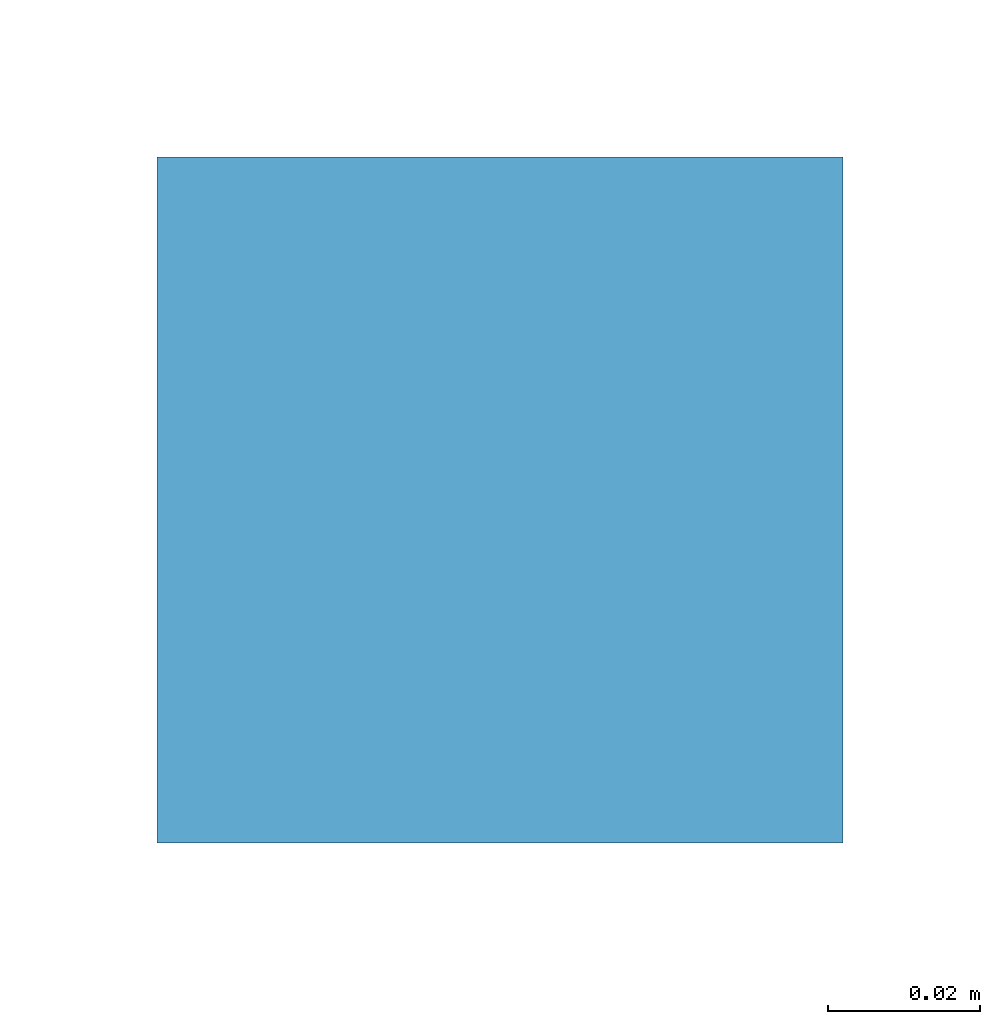
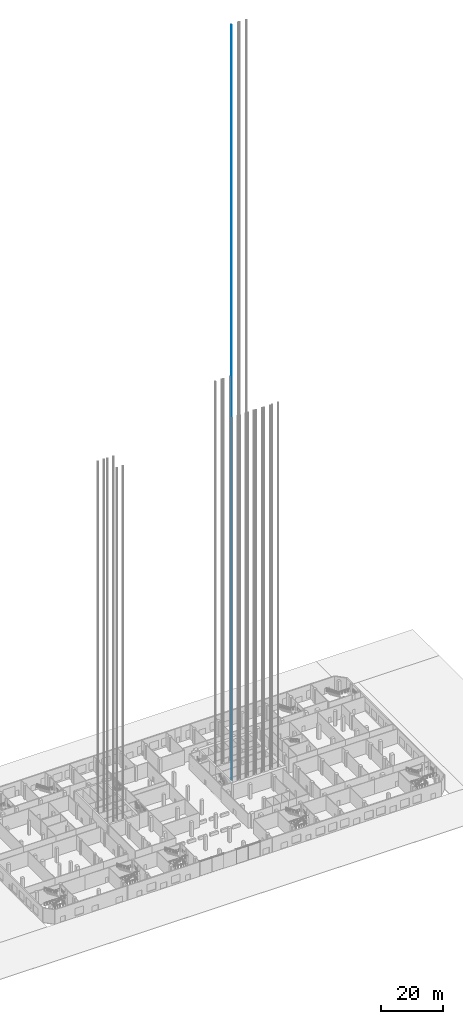
# One storey, part 28 of 55: 1 member.
"""IFC4 building model written with IfcOpenShell, lengths in metres."""

import ifcopenshell
import ifcopenshell.guid

model = None  # the IFC model being written
_history = None  # IfcOwnerHistory: only IFC2X3 demands one
_inside = {}  # id of a spatial element -> (the spatial element, [elements in it])
_under = {}  # id of a project, library or spatial element -> (it, [spatial elements below it])
_declared = {}  # id of a project -> (the project, [libraries it declares])
_typed = {}  # id of a type object -> (the type object, [elements of that type])
_made_of = {}  # id of a material, layer set ... -> (it, [elements and type objects made of it])


def new_model(schema):
    """Start an empty IFC model of exactly this schema.

    Asked for "IFC4X3", IfcOpenShell would pick the latest addendum, in which some entities
    have other attributes; the version numbers below select the first issue.
    IFC2X3 requires an IfcOwnerHistory on every rooted entity: one is made here for all.
    """
    global model, _history
    if schema == "IFC4X3":
        model = ifcopenshell.file(schema_version=(4, 3, 0, 0))
    else:
        model = ifcopenshell.file(schema=schema)
    _inside.clear()
    _under.clear()
    _declared.clear()
    _typed.clear()
    _made_of.clear()
    _history = None
    if model.schema == "IFC2X3":
        org = make("IfcOrganization", Name="unknown")
        user = make(
            "IfcPersonAndOrganization",
            ThePerson=make("IfcPerson", FamilyName="unknown"),
            TheOrganization=org,
        )
        app = make(
            "IfcApplication",
            ApplicationDeveloper=org,
            Version="unknown",
            ApplicationFullName="unknown",
            ApplicationIdentifier="unknown",
        )
        _history = make(
            "IfcOwnerHistory",
            OwningUser=user,
            OwningApplication=app,
            ChangeAction="ADDED",
            CreationDate=0,
        )
    return model


def make(cls, **values):
    """One entity of the class cls with the attributes given. An attribute that is None is left unset."""
    return model.create_entity(
        cls, **{name: value for name, value in values.items() if value is not None}
    )


def rooted(cls, **values):
    """An entity with a GlobalId (a new one), such as an element, a storey or a relation."""
    return make(cls, GlobalId=ifcopenshell.guid.new(), OwnerHistory=_history, **values)


def si_unit(unit_type, name, prefix=None):
    """IfcSIUnit, for example si_unit("LENGTHUNIT", "METRE", prefix="MILLI")."""
    return make("IfcSIUnit", UnitType=unit_type, Prefix=prefix, Name=name)


def assignment(units):
    """IfcUnitAssignment: the units of a project."""
    return None if units is None else make("IfcUnitAssignment", Units=units)


def point(xyz):
    """IfcCartesianPoint."""
    return None if xyz is None else make("IfcCartesianPoint", Coordinates=xyz)


def direction(xyz):
    """IfcDirection."""
    return None if xyz is None else make("IfcDirection", DirectionRatios=xyz)


def frame(location, z_axis=None, x_axis=None):
    """IfcAxis2Placement3D, a coordinate frame: its origin and axes. An axis left out is left unset."""
    return make(
        "IfcAxis2Placement3D",
        Location=point(location),
        Axis=direction(z_axis),
        RefDirection=direction(x_axis),
    )


def frame_2d(location, x_axis=None):
    """IfcAxis2Placement2D, a coordinate frame in the plane: its origin and x axis."""
    return make(
        "IfcAxis2Placement2D", Location=point(location), RefDirection=direction(x_axis)
    )


def origin():
    """The frame at (0, 0, 0) with its axes left unset."""
    return frame((0.0, 0.0, 0.0))


def origin_2d():
    """The frame at (0, 0) in the plane with its x axis left unset."""
    return frame_2d((0.0, 0.0))


def place(relative_to, where):
    """IfcLocalPlacement: puts the frame where relative to a parent placement (None: the world)."""
    return make(
        "IfcLocalPlacement", PlacementRelTo=relative_to, RelativePlacement=where
    )


def context(
    kind, dimensions, precision=None, world=None, true_north=None, identifier=None
):
    """IfcGeometricRepresentationContext, for example the 3D "Model" context."""
    return make(
        "IfcGeometricRepresentationContext",
        ContextIdentifier=identifier,
        ContextType=kind,
        CoordinateSpaceDimension=dimensions,
        Precision=precision,
        WorldCoordinateSystem=world,
        TrueNorth=true_north,
    )


def subcontext(parent, identifier, kind, view, scale=None):
    """IfcGeometricRepresentationSubContext, for example "Body" below "Model"."""
    return make(
        "IfcGeometricRepresentationSubContext",
        ContextIdentifier=identifier,
        ContextType=kind,
        ParentContext=parent,
        TargetScale=scale,
        TargetView=view,
    )


def project(units=None, contexts=None):
    """IfcProject with its units and contexts."""
    return rooted(
        "IfcProject",
        Name="project",
        RepresentationContexts=contexts,
        UnitsInContext=assignment(units),
    )


def spatial(cls, under=None, at=None, **own):
    """A site, building, storey or space (cls), placed at a placement, below another one or the project."""
    s = rooted(cls, ObjectPlacement=at, **own)
    if under is not None:
        _under.setdefault(under.id(), (under, []))[1].append(s)
    return s


def profile(cls, at=None, kind="AREA", **sizes):
    """A parametric profile (cls). Its sizes go by their IFC names, for example OverallWidth=200.0."""
    return make(cls, ProfileType=kind, Position=at, **sizes)


def rectangle(**sizes):
    """IfcRectangleProfileDef."""
    return profile("IfcRectangleProfileDef", **sizes)


def extrude(swept, where, along, depth):
    """IfcExtrudedAreaSolid: the profile swept, set in the frame where, extruded along a direction by depth."""
    return make(
        "IfcExtrudedAreaSolid",
        SweptArea=swept,
        Position=where,
        ExtrudedDirection=direction(along),
        Depth=depth,
    )


def shape(context_of_items, identifier, shape_type, items):
    """IfcShapeRepresentation: the items that make up one representation, for example the "Body"."""
    return make(
        "IfcShapeRepresentation",
        ContextOfItems=context_of_items,
        RepresentationIdentifier=identifier,
        RepresentationType=shape_type,
        Items=items,
    )


def material(Name=None, Category=None):
    """IfcMaterial."""
    return make("IfcMaterial", Name=Name, Category=Category)


def material_profile(
    of_material, cross_section, Name=None, Category=None, Priority=None
):
    """IfcMaterialProfile: a cross section and its material."""
    return make(
        "IfcMaterialProfile",
        Name=Name,
        Material=of_material,
        Profile=cross_section,
        Priority=Priority,
        Category=Category,
    )


def profile_set(profiles, Name=None, composite=None):
    """IfcMaterialProfileSet."""
    return make(
        "IfcMaterialProfileSet",
        Name=Name,
        MaterialProfiles=profiles,
        CompositeProfile=composite,
    )


def made_of(thing, what):
    """Note that an element or type object is made of a material, layer set ...; save() writes the relation."""
    if what is not None:
        _made_of.setdefault(what.id(), (what, []))[1].append(thing)
    return thing


def type_object(cls, material=None, **own):
    """A type object (cls), such as IfcWallType, which elements share."""
    return made_of(rooted(cls, **own), material)


def element(
    cls,
    number,
    at=None,
    inside=None,
    cuts=None,
    type_object=None,
    material=None,
    context=None,
    identifier="Body",
    shape_type=None,
    held_by="IfcProductDefinitionShape",
    body=None,
    shapes=None,
    **own,
):
    """One element of the class cls, such as IfcWall. Its Tag is "e" and its number.

    at: its placement. inside: the storey or other place that contains it. cuts: it is an
    opening in that element (IfcRelVoidsElement). A single representation is given by context,
    identifier, shape_type and body (its items); several are given by shapes. held_by: the class
    of the entity that holds the representations. save() writes the other relations.
    """
    e = rooted(cls, Tag="e%d" % number, ObjectPlacement=at, **own)
    if body is not None:
        shapes = [shape(context, identifier, shape_type, body)]
    if shapes is not None:
        e.Representation = make(held_by, Representations=shapes)
    if inside is not None:
        _inside.setdefault(inside.id(), (inside, []))[1].append(e)
    if cuts is not None:
        rooted(
            "IfcRelVoidsElement", RelatingBuildingElement=cuts, RelatedOpeningElement=e
        )
    if type_object is not None:
        _typed.setdefault(type_object.id(), (type_object, []))[1].append(e)
    return made_of(e, material)


def aggregate(whole, parts):
    """IfcRelAggregates: a whole, such as a stair, and the parts it consists of."""
    return rooted("IfcRelAggregates", RelatingObject=whole, RelatedObjects=parts)


def save(model, path):
    """Write the relations noted so far, then the file.

    IfcRelAggregates (storeys below a building ...), IfcRelContainedInSpatialStructure (elements
    in a storey), IfcRelDefinesByType, IfcRelAssociatesMaterial and IfcRelDeclares: one each for
    every whole, place, type object, material and project.
    """
    for whole, parts in _under.values():
        aggregate(whole, parts)
    for where, things in _inside.values():
        rooted(
            "IfcRelContainedInSpatialStructure",
            RelatedElements=things,
            RelatingStructure=where,
        )
    for kind, things in _typed.values():
        rooted("IfcRelDefinesByType", RelatedObjects=things, RelatingType=kind)
    for what, things in _made_of.values():
        rooted("IfcRelAssociatesMaterial", RelatedObjects=things, RelatingMaterial=what)
    for by, libraries in _declared.values():
        rooted("IfcRelDeclares", RelatingContext=by, RelatedDefinitions=libraries)
    model.write(path)


model = new_model("IFC4")

# Units and contexts
model_context = context("Model", 3, precision=1e-05, world=origin(), true_north=direction((0.0, 1.0)))
body_context = subcontext(model_context, "Body", "Model", "MODEL_VIEW")
ifc_project = project(units=[si_unit("LENGTHUNIT", "METRE"), si_unit("AREAUNIT", "SQUARE_METRE"), si_unit("VOLUMEUNIT", "CUBIC_METRE"), si_unit("PLANEANGLEUNIT", "RADIAN"), si_unit("MASSUNIT", "GRAM", prefix="KILO")], contexts=[model_context])

# Site, building, storey
site_placement = place(None, origin())
site = spatial("IfcSite", under=ifc_project, at=site_placement, CompositionType="ELEMENT")
building_placement = place(site_placement, origin())
building = spatial("IfcBuilding", under=site, at=building_placement, Name="Cinnabar Reach Civic Tower", CompositionType="ELEMENT")
storey_placement = place(building_placement, origin())
storey = spatial("IfcBuildingStorey", under=building, at=storey_placement, Name="L00", CompositionType="ELEMENT", Elevation=0.0)

# Member
ifc_material = material(Name="Steel Q355B", Category="steel")
ifc_material_profile = material_profile(ifc_material, rectangle(XDim=0.09, YDim=0.09, at=origin_2d()), Name="T1 lift guide rail")
ifc_profile_set = profile_set([ifc_material_profile], Name="Steel Q355B")
member_type = type_object("IfcMemberType", Name="T1 lift guide rail", PredefinedType="USERDEFINED", material=ifc_profile_set)
member_placement = place(storey_placement, frame((10.72, 33.0, -2.5), z_axis=(0.0, 0.0, 1.0), x_axis=(1.0, 0.0, 0.0)))
element("IfcMember", 1, at=member_placement, inside=storey, type_object=member_type, Name="T1-OB1 guide rail 1", ObjectType="GUIDE RAIL", PredefinedType="USERDEFINED", context=body_context, shape_type="SweptSolid", body=[
    extrude(rectangle(XDim=0.09, YDim=0.09, at=origin_2d()), origin(), (0.0, 0.0, 1.0), 297.5),
])

save(model, "model.ifc")
